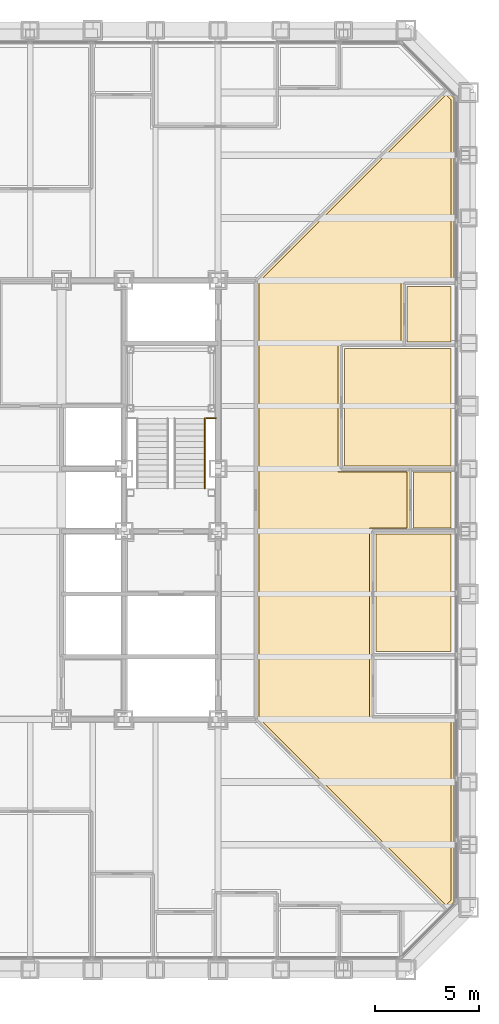
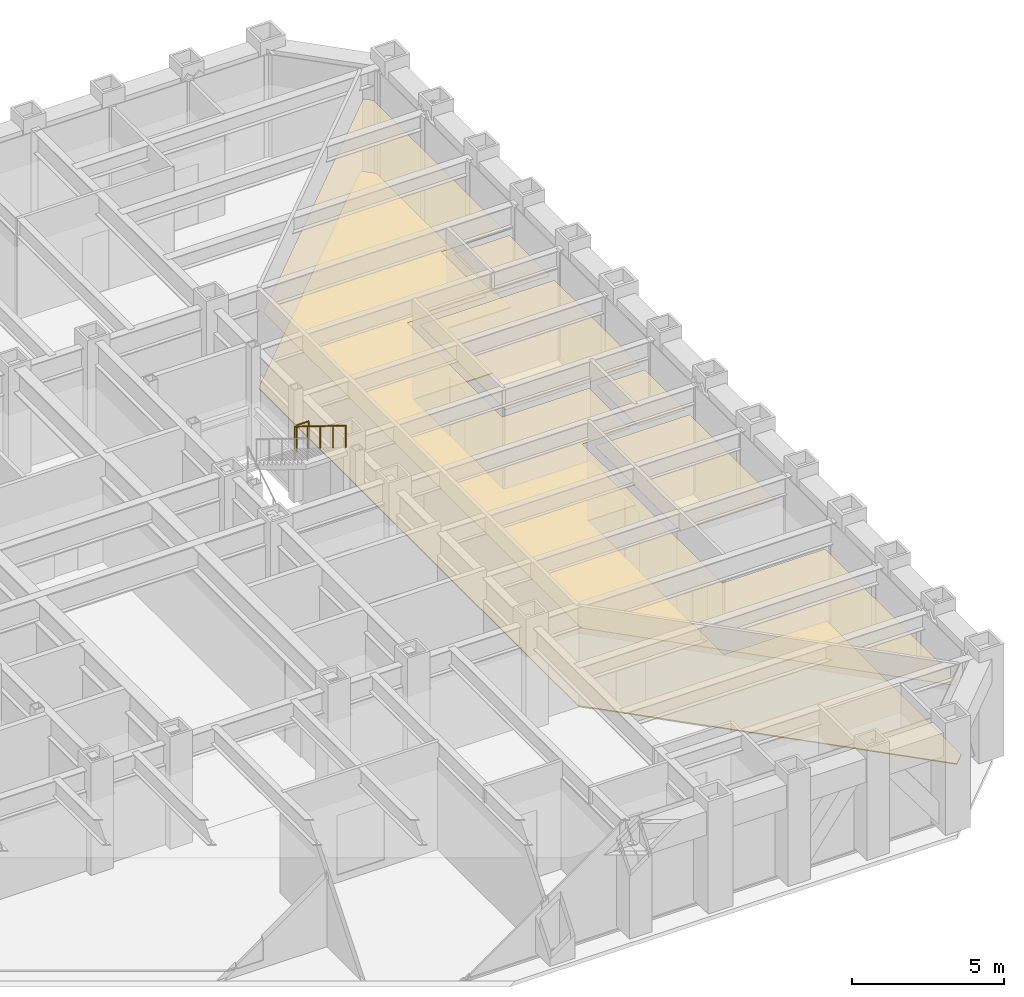
# One storey, part 16 of 17: 6 coverings, 2 railings.
"""IFC4 building model written with IfcOpenShell, lengths in metres."""

from ifc_helpers import new_model, si_unit, direction, frame, origin, origin_2d, place, context, subcontext, project, spatial, polyline, circle, outline, extrude, material, layer, layer_set, type_object, element, save


model = new_model("IFC4")

# Units and contexts
model_context = context("Model", 3, precision=1e-05, world=origin(), true_north=direction((0.0, 1.0)))
body_context = subcontext(model_context, "Body", "Model", "MODEL_VIEW")
ifc_project = project(units=[si_unit("LENGTHUNIT", "METRE"), si_unit("AREAUNIT", "SQUARE_METRE"), si_unit("VOLUMEUNIT", "CUBIC_METRE"), si_unit("PLANEANGLEUNIT", "RADIAN"), si_unit("MASSUNIT", "GRAM", prefix="KILO")], contexts=[model_context])

# Site, building, storey
site_placement = place(None, origin())
site = spatial("IfcSite", under=ifc_project, at=site_placement, CompositionType="ELEMENT")
building_placement = place(site_placement, origin())
building = spatial("IfcBuilding", under=site, at=building_placement, Name="Chuquiago Exchange Tower", CompositionType="ELEMENT")
storey_placement = place(building_placement, frame((0.0, 0.0, 87.300048828125)))
storey = spatial("IfcBuildingStorey", under=building, at=storey_placement, Name="L18", CompositionType="ELEMENT", Elevation=87.300048828125)

# Coverings
ifc_material_1 = material(Name="Mineral fibre tile, 600 x 600, on pale metal grid", Category="mineral fibre")
ifc_layer_1 = layer(ifc_material_1, 0.02001953125)
ifc_layer_set_1 = layer_set([ifc_layer_1], Name="CL1 suspended tile ceiling 20")
covering_type_1 = type_object("IfcCoveringType", Name="CL1 suspended tile ceiling 20", PredefinedType="CEILING", material=ifc_layer_set_1)
covering_1_placement = place(storey_placement, frame((0.0, 0.0, 3.0)))
element("IfcCovering", 1, at=covering_1_placement, inside=storey, type_object=covering_type_1, Name="Ceiling Meeting room", PredefinedType="CEILING", context=body_context, shape_type="SweptSolid", body=[
    extrude(outline(polyline([(40.550048828125, 15.24560546875), (40.550048828125, 20.869140625), (44.14990234375, 20.869140625), (44.14990234375, 15.24560546875), (40.550048828125, 15.24560546875)])), origin(), (0.0, 0.0, 1.0), 0.02001953125),
])
covering_2_placement = place(storey_placement, frame((0.0, 0.0, 3.0)))
element("IfcCovering", 2, at=covering_2_placement, inside=storey, type_object=covering_type_1, Name="Ceiling Focus room", PredefinedType="CEILING", context=body_context, shape_type="SweptSolid", body=[
    extrude(outline(polyline([(42.35009765625, 21.169189453125), (42.35009765625, 23.830810546875), (44.14990234375, 23.830810546875), (44.14990234375, 21.169189453125), (42.35009765625, 21.169189453125)])), origin(), (0.0, 0.0, 1.0), 0.02001953125),
])
covering_3_placement = place(storey_placement, frame((0.0, 0.0, 3.0)))
element("IfcCovering", 3, at=covering_3_placement, inside=storey, type_object=covering_type_1, Name="Ceiling Conference room", PredefinedType="CEILING", context=body_context, shape_type="SweptSolid", body=[
    extrude(outline(polyline([(39.050048828125, 24.130859375), (39.050048828125, 29.75439453125), (44.14990234375, 29.75439453125), (44.14990234375, 24.130859375), (39.050048828125, 24.130859375)])), origin(), (0.0, 0.0, 1.0), 0.02001953125),
])
covering_4_placement = place(storey_placement, frame((0.0, 0.0, 3.0)))
element("IfcCovering", 4, at=covering_4_placement, inside=storey, type_object=covering_type_1, Name="Ceiling Store", PredefinedType="CEILING", context=body_context, shape_type="SweptSolid", body=[
    extrude(outline(polyline([(42.050048828125, 30.054443359375), (42.050048828125, 32.71630859375), (44.14990234375, 32.71630859375), (44.14990234375, 30.054443359375), (42.050048828125, 30.054443359375)])), origin(), (0.0, 0.0, 1.0), 0.02001953125),
])
covering_5_placement = place(storey_placement, frame((0.0, 0.0, 3.0)))
element("IfcCovering", 5, at=covering_5_placement, inside=storey, type_object=covering_type_1, Name="Ceiling Trading floor east", PredefinedType="CEILING", context=body_context, shape_type="SweptSolid", body=[
    extrude(outline(polyline([(44.14990234375, 33.01611328125), (41.75, 33.01611328125), (41.75, 30.054443359375), (38.75, 30.054443359375), (38.75, 23.830810546875), (42.050048828125, 23.830810546875), (42.050048828125, 21.169189453125), (40.25, 21.169189453125), (40.25, 11.98388671875), (44.14990234375, 11.98388671875), (44.14990234375, 3.35205078125), (43.905517578125, 3.107421875), (34.949951171875, 12.0625), (34.949951171875, 32.9375), (43.905517578125, 41.892578125), (44.14990234375, 41.64794921875), (44.14990234375, 33.01611328125)])), origin(), (0.0, 0.0, 1.0), 0.02001953125),
])

# Railings
ifc_material_2 = material(Name="Pale metal guard with safety glass infill", Category="glass")
railing_type_1 = type_object("IfcRailingType", Name="GR1 guard 1100", PredefinedType="GUARDRAIL", material=ifc_material_2)
railing_1_placement = place(storey_placement, frame((32.445068359375, 26.409912109375, 2.25)))
element("IfcRailing", 6, at=railing_1_placement, inside=storey, type_object=railing_type_1, Name="Guard ST2 L18 landing 2", PredefinedType="GUARDRAIL", context=body_context, shape_type="SweptSolid", body=[
    extrude(circle(Radius=0.02392578125, at=origin_2d()), frame((0.0, 0.0, 1.076171875), z_axis=(1.0, 0.0, 0.0), x_axis=(0.0, 1.0, 0.0)), (0.0, 0.0, 1.0), 0.454833984375),
    extrude(circle(Radius=0.02099609375, at=origin_2d()), origin(), (0.0, 0.0, 1.0), 1.052001953125),
    extrude(circle(Radius=0.02099609375, at=origin_2d()), frame((0.454833984375, 0.0, 0.0)), (0.0, 0.0, 1.0), 1.052001953125),
])
ifc_material_3 = material(Name="Pale metal handrail", Category="steel")
railing_type_2 = type_object("IfcRailingType", Name="HR1 handrail 900", PredefinedType="HANDRAIL", material=ifc_material_3)
railing_2_placement = place(storey_placement, frame((32.364990234375, 26.409912109375, 2.423095703125)))
element("IfcRailing", 7, at=railing_2_placement, inside=storey, type_object=railing_type_2, Name="Handrail ST2 L18 flight 2", PredefinedType="HANDRAIL", context=body_context, shape_type="SweptSolid", body=[
    extrude(circle(Radius=0.02392578125, at=origin_2d()), frame((0.0, 0.0, 0.8759765625), z_axis=(0.0, -0.850606129759, 0.525803396734), x_axis=(1.0, 0.0, 0.0)), (0.0, 0.0, 1.0), 3.949951171875),
    extrude(circle(Radius=0.02099609375, at=origin_2d()), origin(), (0.0, 0.0, 1.0), 0.851806640625),
    extrude(circle(Radius=0.02099609375, at=origin_2d()), frame((0.0, -0.83984375, 0.519287109375)), (0.0, 0.0, 1.0), 0.851806640625),
    extrude(circle(Radius=0.02099609375, at=origin_2d()), frame((0.0, -1.679931640625, 1.03857421875)), (0.0, 0.0, 1.0), 0.851806640625),
    extrude(circle(Radius=0.02099609375, at=origin_2d()), frame((0.0, -2.52001953125, 1.5576171875)), (0.0, 0.0, 1.0), 0.851806640625),
    extrude(circle(Radius=0.02099609375, at=origin_2d()), frame((0.0, -3.35986328125, 2.076904296875)), (0.0, 0.0, 1.0), 0.851806640625),
])

# Covering
ifc_material_4 = material(Name="Steel raised floor panel", Category="steel")
ifc_layer_2 = layer(ifc_material_4, 0.0400390625)
ifc_layer_set_2 = layer_set([ifc_layer_2], Name="RF1 raised access floor 40")
covering_type_2 = type_object("IfcCoveringType", Name="RF1 raised access floor 40", PredefinedType="FLOORING", material=ifc_layer_set_2)
covering_6_placement = place(storey_placement, frame((0.0, 0.0, -0.0400390625)))
element("IfcCovering", 8, at=covering_6_placement, inside=storey, type_object=covering_type_2, Name="Raised access floor Trading floor east", PredefinedType="FLOORING", context=body_context, shape_type="SweptSolid", body=[
    extrude(outline(polyline([(44.300048828125, 41.710205078125), (44.300048828125, 32.8662109375), (41.89990234375, 32.8662109375), (41.89990234375, 29.904296875), (38.89990234375, 29.904296875), (38.89990234375, 23.98095703125), (42.199951171875, 23.98095703125), (42.199951171875, 21.01904296875), (40.39990234375, 21.01904296875), (40.39990234375, 12.1337890625), (44.300048828125, 12.1337890625), (44.300048828125, 3.289794921875), (43.905517578125, 2.895263671875), (34.800048828125, 12.00048828125), (34.800048828125, 32.99951171875), (43.905517578125, 42.104736328125), (44.300048828125, 41.710205078125)])), origin(), (0.0, 0.0, 1.0), 0.0400390625),
])

save(model, "model.ifc")
